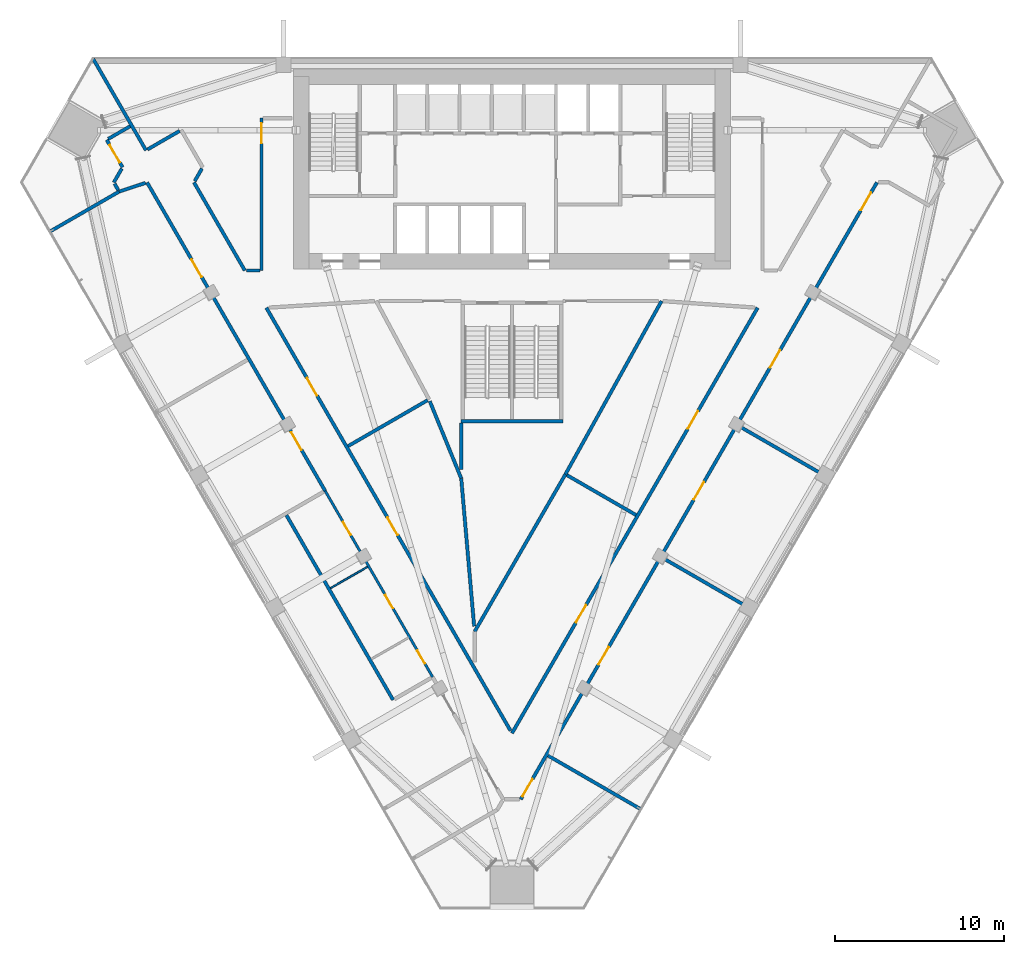
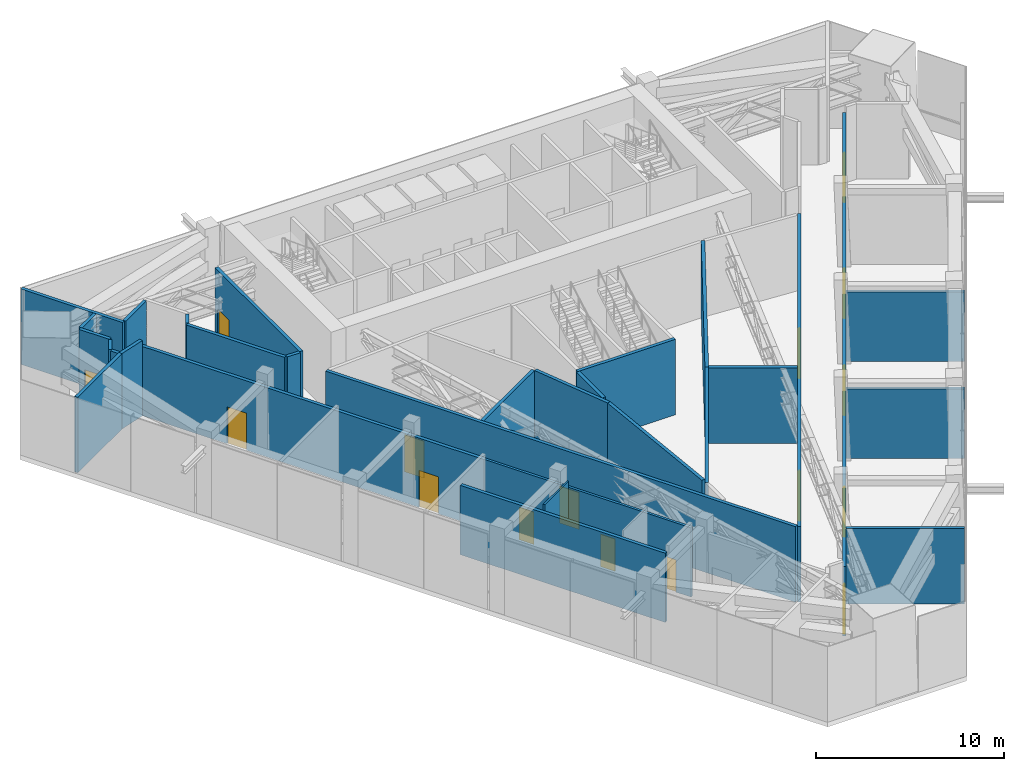
# One storey, part 9 of 15: 30 walls, 16 doors, 16 openings.
"""IFC4 building model written with IfcOpenShell, lengths in metres."""

from ifc_helpers import new_model, si_unit, direction, frame, frame_2d, origin, place, context, subcontext, project, spatial, rectangle, extrude, material, layer, layer_set, type_object, element, fill, save


model = new_model("IFC4")

# Units and contexts
model_context = context("Model", 3, precision=1e-05, world=origin(), true_north=direction((0.0, 1.0)))
body_context = subcontext(model_context, "Body", "Model", "MODEL_VIEW")
ifc_project = project(units=[si_unit("LENGTHUNIT", "METRE"), si_unit("AREAUNIT", "SQUARE_METRE"), si_unit("VOLUMEUNIT", "CUBIC_METRE"), si_unit("PLANEANGLEUNIT", "RADIAN"), si_unit("MASSUNIT", "GRAM", prefix="KILO")], contexts=[model_context])

# Site, building, storey
site_placement = place(None, origin())
site = spatial("IfcSite", under=ifc_project, at=site_placement, CompositionType="ELEMENT")
building_placement = place(site_placement, origin())
building = spatial("IfcBuilding", under=site, at=building_placement, Name="Altiplano Prism Tower", CompositionType="ELEMENT")
storey_placement = place(building_placement, frame((0.0, 0.0, 95.39990234375)))
storey = spatial("IfcBuildingStorey", under=building, at=storey_placement, Name="L24", CompositionType="ELEMENT", Elevation=95.39990234375)

# Wall
ifc_material_1 = material(Name="Plasterboard on steel stud", Category="steel")
ifc_layer_1 = layer(ifc_material_1, 0.10009765625)
ifc_layer_set_1 = layer_set([ifc_layer_1], Name="Plasterboard on steel stud")
wall_type_1 = type_object("IfcWallType", Name="Partition 100 wet", PredefinedType="PARTITIONING", material=ifc_layer_set_1)
wall_1_placement = place(storey_placement, frame((74.27880859375, 73.634521484375, 0.0), z_axis=(0.0, 0.0, 1.0), x_axis=(0.866039067339, 0.499976333282, 0.0)))
element("IfcWall", 1, at=wall_1_placement, inside=storey, type_object=wall_type_1, Name="Partition P03 L24 061", PredefinedType="PARTITIONING", context=body_context, shape_type="SweptSolid", body=[
    extrude(rectangle(XDim=2.52490234375, YDim=0.10009765625, at=frame_2d((1.262451171875, 0.0))), origin(), (0.0, 0.0, 1.0), 4.900146484375),
])

# Wall, openings, doors
ifc_layer_2 = layer(ifc_material_1, 0.14990234375)
ifc_layer_set_2 = layer_set([ifc_layer_2], Name="Plasterboard on steel stud")
wall_type_2 = type_object("IfcWallType", Name="Partition 150 corridor", PredefinedType="PARTITIONING", material=ifc_layer_set_2)
wall_2_placement = place(storey_placement, frame((73.96240234375, 79.38232421875, 0.0), z_axis=(0.0, 0.0, 1.0), x_axis=(0.500005339912, -0.866022320763, 0.0)))
wall_2 = element("IfcWall", 2, at=wall_2_placement, inside=storey, type_object=wall_type_2, Name="Partition P06 L24 038", PredefinedType="PARTITIONING", context=body_context, shape_type="SweptSolid", body=[
    extrude(rectangle(XDim=12.699951171875, YDim=0.14990234375, at=frame_2d((6.35009765625, 0.0))), origin(), (0.0, 0.0, 1.0), 4.5),
])
opening_1_placement = place(wall_2_placement, frame((2.117919921875, 0.0, 0.0)))
opening_1 = element("IfcOpeningElement", 3, at=opening_1_placement, cuts=wall_2, Name="Opening D0906", PredefinedType="OPENING", context=body_context, shape_type="SweptSolid", body=[
    extrude(rectangle(XDim=0.89990234375, YDim=2.10009765625, at=frame_2d((0.449951171875, 1.050048828125))), frame((0.0, 0.08544921875, 0.0), z_axis=(0.0, -1.0, 0.0), x_axis=(1.0, 0.0, 0.0)), (0.0, 0.0, 1.0), 0.1708984375),
])
opening_2_placement = place(wall_2_placement, frame((7.10400390625, 0.0, 0.0)))
opening_2 = element("IfcOpeningElement", 4, at=opening_2_placement, cuts=wall_2, Name="Opening D0907", PredefinedType="OPENING", context=body_context, shape_type="SweptSolid", body=[
    extrude(rectangle(XDim=0.89990234375, YDim=2.10009765625, at=frame_2d((0.449951171875, 1.050048828125))), frame((0.0, 0.08544921875, 0.0), z_axis=(0.0, -1.0, 0.0), x_axis=(1.0, 0.0, 0.0)), (0.0, 0.0, 1.0), 0.1708984375),
])
opening_3_placement = place(wall_2_placement, frame((10.885986328125, 0.0, 0.0)))
opening_3 = element("IfcOpeningElement", 5, at=opening_3_placement, cuts=wall_2, Name="Opening D0908", PredefinedType="OPENING", context=body_context, shape_type="SweptSolid", body=[
    extrude(rectangle(XDim=0.89990234375, YDim=2.10009765625, at=frame_2d((0.449951171875, 1.050048828125))), frame((0.0, 0.08544921875, 0.0), z_axis=(0.0, -1.0, 0.0), x_axis=(1.0, 0.0, 0.0)), (0.0, 0.0, 1.0), 0.1708984375),
])
ifc_material_2 = material(Name="Timber", Category="wood")
door_type_1 = type_object("IfcDoorType", Name="Toilet door 900 x 2100", OperationType="NOTDEFINED", PredefinedType="NOTDEFINED", material=ifc_material_2)
door_1_placement = place(opening_1_placement, origin())
door_1 = element("IfcDoor", 6, at=door_1_placement, inside=storey, type_object=door_type_1, Name="Door D0906", OperationType="SINGLE_SWING_LEFT", OverallHeight=2.10009765625, OverallWidth=0.89990234375, PredefinedType="NOTDEFINED", context=body_context, shape_type="SweptSolid", body=[
    extrude(rectangle(XDim=0.89990234375, YDim=2.10009765625, at=frame_2d((0.449951171875, 1.050048828125))), frame((0.0, 0.02490234375, 0.0), z_axis=(0.0, -1.0, 0.0), x_axis=(1.0, 0.0, 0.0)), (0.0, 0.0, 1.0), 0.050048828125),
])
fill(opening_1, door_1)
door_2_placement = place(opening_2_placement, origin())
door_2 = element("IfcDoor", 7, at=door_2_placement, inside=storey, type_object=door_type_1, Name="Door D0907", OperationType="SINGLE_SWING_LEFT", OverallHeight=2.10009765625, OverallWidth=0.89990234375, PredefinedType="NOTDEFINED", context=body_context, shape_type="SweptSolid", body=[
    extrude(rectangle(XDim=0.89990234375, YDim=2.10009765625, at=frame_2d((0.449951171875, 1.050048828125))), frame((0.0, 0.02490234375, 0.0), z_axis=(0.0, -1.0, 0.0), x_axis=(1.0, 0.0, 0.0)), (0.0, 0.0, 1.0), 0.050048828125),
])
fill(opening_2, door_2)
door_3_placement = place(opening_3_placement, origin())
door_3 = element("IfcDoor", 8, at=door_3_placement, inside=storey, type_object=door_type_1, Name="Door D0908", OperationType="SINGLE_SWING_RIGHT", OverallHeight=2.10009765625, OverallWidth=0.89990234375, PredefinedType="NOTDEFINED", context=body_context, shape_type="SweptSolid", body=[
    extrude(rectangle(XDim=0.89990234375, YDim=2.10009765625, at=frame_2d((0.449951171875, 1.050048828125))), frame((0.0, 0.02490234375, 0.0), z_axis=(0.0, -1.0, 0.0), x_axis=(1.0, 0.0, 0.0)), (0.0, 0.0, 1.0), 0.050048828125),
])
fill(opening_3, door_3)

# Wall
ifc_layer_3 = layer(ifc_material_1, 0.199951171875)
ifc_layer_set_3 = layer_set([ifc_layer_3], Name="Plasterboard on steel stud")
wall_type_3 = type_object("IfcWallType", Name="Partition 200 plant", PredefinedType="PARTITIONING", material=ifc_layer_set_3)
wall_3_placement = place(storey_placement, frame((62.44287109375, 100.92236328125, 0.0), z_axis=(0.0, 0.0, 1.0), x_axis=(-0.866031096941, -0.499990139034, 0.0)))
element("IfcWall", 9, at=wall_3_placement, inside=storey, type_object=wall_type_3, Name="Partition P04 L24 001", PredefinedType="PARTITIONING", context=body_context, shape_type="SweptSolid", body=[
    extrude(rectangle(XDim=1.5, YDim=0.199951171875, at=frame_2d((0.75, 0.0))), origin(), (0.0, 0.0, 1.0), 4.900146484375),
])

# Wall, opening, door
wall_4_placement = place(storey_placement, frame((61.057373046875, 100.122314453125, 0.0), z_axis=(0.0, 0.0, 1.0), x_axis=(0.499951854219, -0.86605319898, 0.0)))
wall_4 = element("IfcWall", 10, at=wall_4_placement, inside=storey, type_object=wall_type_3, Name="Partition P04 L24 002", PredefinedType="PARTITIONING", context=body_context, shape_type="SweptSolid", body=[
    extrude(rectangle(XDim=1.873291015625, YDim=0.199951171875, at=frame_2d((0.9365234375, 0.0))), origin(), (0.0, 0.0, 1.0), 4.900146484375),
])
opening_4_placement = place(wall_4_placement, frame((0.35302734375, 0.0, 0.0)))
opening_4 = element("IfcOpeningElement", 11, at=opening_4_placement, cuts=wall_4, Name="Opening D0888", PredefinedType="OPENING", context=body_context, shape_type="SweptSolid", body=[
    extrude(rectangle(XDim=1.199951171875, YDim=2.39990234375, at=frame_2d((0.60009765625, 1.199951171875))), frame((0.0, 0.1103515625, 0.0), z_axis=(0.0, -1.0, 0.0), x_axis=(1.0, 0.0, 0.0)), (0.0, 0.0, 1.0), 0.220947265625),
])
ifc_material_3 = material(Name="Painted steel door leaf", Category="steel")
door_type_2 = type_object("IfcDoorType", Name="Plant room door 1200 x 2400", OperationType="NOTDEFINED", PredefinedType="NOTDEFINED", material=ifc_material_3)
door_4_placement = place(opening_4_placement, origin())
door_4 = element("IfcDoor", 12, at=door_4_placement, inside=storey, type_object=door_type_2, Name="Door D0888", OperationType="SINGLE_SWING_RIGHT", OverallHeight=2.39990234375, OverallWidth=1.199951171875, PredefinedType="NOTDEFINED", context=body_context, shape_type="SweptSolid", body=[
    extrude(rectangle(XDim=1.199951171875, YDim=2.39990234375, at=frame_2d((0.60009765625, 1.199951171875))), frame((0.0, 0.02490234375, 0.0), z_axis=(0.0, -1.0, 0.0), x_axis=(1.0, 0.0, 0.0)), (0.0, 0.0, 1.0), 0.050048828125),
])
fill(opening_4, door_4)

# Walls
wall_5_placement = place(storey_placement, frame((61.95068359375, 98.425048828125, 0.0), z_axis=(0.0, 0.0, 1.0), x_axis=(-0.500109828528, -0.865961984968, 0.0)))
element("IfcWall", 13, at=wall_5_placement, inside=storey, type_object=wall_type_3, Name="Partition P04 L24 003", PredefinedType="PARTITIONING", context=body_context, shape_type="SweptSolid", body=[
    extrude(rectangle(XDim=0.945556640625, YDim=0.199951171875, at=frame_2d((0.47265625, 0.0))), origin(), (0.0, 0.0, 1.0), 4.900146484375),
])
wall_6_placement = place(storey_placement, frame((61.521240234375, 97.53125, 0.0), z_axis=(0.0, 0.0, 1.0), x_axis=(0.499881837328, -0.866093614288, 0.0)))
element("IfcWall", 14, at=wall_6_placement, inside=storey, type_object=wall_type_3, Name="Partition P04 L24 004", PredefinedType="PARTITIONING", context=body_context, shape_type="SweptSolid", body=[
    extrude(rectangle(XDim=0.44189453125, YDim=0.199951171875, at=frame_2d((0.220947265625, 0.0))), origin(), (0.0, 0.0, 1.0), 4.900146484375),
])
wall_7_placement = place(storey_placement, frame((61.791259765625, 97.0634765625, 0.0), z_axis=(0.0, 0.0, 1.0), x_axis=(0.949897856725, 0.312560493007, 0.0)))
element("IfcWall", 15, at=wall_7_placement, inside=storey, type_object=wall_type_3, Name="Partition P04 L24 005", PredefinedType="PARTITIONING", context=body_context, shape_type="SweptSolid", body=[
    extrude(rectangle(XDim=1.638671875, YDim=0.199951171875, at=frame_2d((0.8193359375, 0.0))), origin(), (0.0, 0.0, 1.0), 4.900146484375),
])

# Wall, openings, doors
wall_8_placement = place(storey_placement, frame((63.44091796875, 97.606201171875, 0.0), z_axis=(0.0, 0.0, 1.0), x_axis=(0.499997295205, -0.866026965393, 0.0)))
wall_8 = element("IfcWall", 16, at=wall_8_placement, inside=storey, type_object=wall_type_3, Name="Partition P04 L24 006", PredefinedType="PARTITIONING", context=body_context, shape_type="SweptSolid", body=[
    extrude(rectangle(XDim=21.04296875, YDim=0.199951171875, at=frame_2d((10.521484375, 0.0))), origin(), (0.0, 0.0, 1.0), 4.5),
])
opening_5_placement = place(wall_8_placement, frame((5.26708984375, 0.0, 0.0)))
opening_5 = element("IfcOpeningElement", 17, at=opening_5_placement, cuts=wall_8, Name="Opening D0889", PredefinedType="OPENING", context=body_context, shape_type="SweptSolid", body=[
    extrude(rectangle(XDim=1.199951171875, YDim=2.39990234375, at=frame_2d((0.60009765625, 1.199951171875))), frame((0.0, 0.1103515625, 0.0), z_axis=(0.0, -1.0, 0.0), x_axis=(1.0, 0.0, 0.0)), (0.0, 0.0, 1.0), 0.220947265625),
])
opening_6_placement = place(wall_8_placement, frame((17.04296875, 0.0, 0.0)))
opening_6 = element("IfcOpeningElement", 18, at=opening_6_placement, cuts=wall_8, Name="Opening D0890", PredefinedType="OPENING", context=body_context, shape_type="SweptSolid", body=[
    extrude(rectangle(XDim=1.199951171875, YDim=2.39990234375, at=frame_2d((0.60009765625, 1.199951171875))), frame((0.0, 0.1103515625, 0.0), z_axis=(0.0, -1.0, 0.0), x_axis=(1.0, 0.0, 0.0)), (0.0, 0.0, 1.0), 0.220947265625),
])
door_5_placement = place(opening_5_placement, origin())
door_5 = element("IfcDoor", 19, at=door_5_placement, inside=storey, type_object=door_type_2, Name="Door D0889", OperationType="SINGLE_SWING_RIGHT", OverallHeight=2.39990234375, OverallWidth=1.199951171875, PredefinedType="NOTDEFINED", context=body_context, shape_type="SweptSolid", body=[
    extrude(rectangle(XDim=1.199951171875, YDim=2.39990234375, at=frame_2d((0.60009765625, 1.199951171875))), frame((0.0, 0.02490234375, 0.0), z_axis=(0.0, -1.0, 0.0), x_axis=(1.0, 0.0, 0.0)), (0.0, 0.0, 1.0), 0.050048828125),
])
fill(opening_5, door_5)
door_6_placement = place(opening_6_placement, origin())
door_6 = element("IfcDoor", 20, at=door_6_placement, inside=storey, type_object=door_type_2, Name="Door D0890", OperationType="SINGLE_SWING_LEFT", OverallHeight=2.39990234375, OverallWidth=1.199951171875, PredefinedType="NOTDEFINED", context=body_context, shape_type="SweptSolid", body=[
    extrude(rectangle(XDim=1.199951171875, YDim=2.39990234375, at=frame_2d((0.60009765625, 1.199951171875))), frame((0.0, 0.02490234375, 0.0), z_axis=(0.0, -1.0, 0.0), x_axis=(1.0, 0.0, 0.0)), (0.0, 0.0, 1.0), 0.050048828125),
])
fill(opening_6, door_6)

wall_9_placement = place(storey_placement, frame((85.51611328125, 61.158447265625, 0.0), z_axis=(0.0, 0.0, 1.0), x_axis=(0.499997295205, 0.866026965393, 0.0)))
wall_9 = element("IfcWall", 21, at=wall_9_placement, inside=storey, type_object=wall_type_3, Name="Partition P04 L24 009", PredefinedType="PARTITIONING", context=body_context, shape_type="SweptSolid", body=[
    extrude(rectangle(XDim=42.086181640625, YDim=0.199951171875, at=frame_2d((21.04296875, 0.0))), origin(), (0.0, 0.0, 1.0), 4.5),
])
opening_7_placement = place(wall_9_placement, frame((0.199951171875, 0.0, 0.0)))
opening_7 = element("IfcOpeningElement", 22, at=opening_7_placement, cuts=wall_9, Name="Opening D0893", PredefinedType="OPENING", context=body_context, shape_type="SweptSolid", body=[
    extrude(rectangle(XDim=1.199951171875, YDim=2.39990234375, at=frame_2d((0.60009765625, 1.199951171875))), frame((0.0, 0.1103515625, 0.0), z_axis=(0.0, -1.0, 0.0), x_axis=(1.0, 0.0, 0.0)), (0.0, 0.0, 1.0), 0.220947265625),
])
opening_8_placement = place(wall_9_placement, frame((9.193115234375, 0.0, 0.0)))
opening_8 = element("IfcOpeningElement", 23, at=opening_8_placement, cuts=wall_9, Name="Opening D0894", PredefinedType="OPENING", context=body_context, shape_type="SweptSolid", body=[
    extrude(rectangle(XDim=1.199951171875, YDim=2.39990234375, at=frame_2d((0.60009765625, 1.199951171875))), frame((0.0, 0.1103515625, 0.0), z_axis=(0.0, -1.0, 0.0), x_axis=(1.0, 0.0, 0.0)), (0.0, 0.0, 1.0), 0.220947265625),
])
opening_9_placement = place(wall_9_placement, frame((20.443115234375, 0.0, 0.0)))
opening_9 = element("IfcOpeningElement", 24, at=opening_9_placement, cuts=wall_9, Name="Opening D0895", PredefinedType="OPENING", context=body_context, shape_type="SweptSolid", body=[
    extrude(rectangle(XDim=1.199951171875, YDim=2.39990234375, at=frame_2d((0.60009765625, 1.199951171875))), frame((0.0, 0.1103515625, 0.0), z_axis=(0.0, -1.0, 0.0), x_axis=(1.0, 0.0, 0.0)), (0.0, 0.0, 1.0), 0.220947265625),
])
opening_10_placement = place(wall_9_placement, frame((29.443115234375, 0.0, 0.0)))
opening_10 = element("IfcOpeningElement", 25, at=opening_10_placement, cuts=wall_9, Name="Opening D0896", PredefinedType="OPENING", context=body_context, shape_type="SweptSolid", body=[
    extrude(rectangle(XDim=1.199951171875, YDim=2.39990234375, at=frame_2d((0.60009765625, 1.199951171875))), frame((0.0, 0.1103515625, 0.0), z_axis=(0.0, -1.0, 0.0), x_axis=(1.0, 0.0, 0.0)), (0.0, 0.0, 1.0), 0.220947265625),
])
opening_11_placement = place(wall_9_placement, frame((40.18408203125, 0.0, 0.0)))
opening_11 = element("IfcOpeningElement", 26, at=opening_11_placement, cuts=wall_9, Name="Opening D0897", PredefinedType="OPENING", context=body_context, shape_type="SweptSolid", body=[
    extrude(rectangle(XDim=1.199951171875, YDim=2.39990234375, at=frame_2d((0.60009765625, 1.199951171875))), frame((0.0, 0.1103515625, 0.0), z_axis=(0.0, -1.0, 0.0), x_axis=(1.0, 0.0, 0.0)), (0.0, 0.0, 1.0), 0.220947265625),
])
door_7_placement = place(opening_7_placement, origin())
door_7 = element("IfcDoor", 27, at=door_7_placement, inside=storey, type_object=door_type_2, Name="Door D0893", OperationType="SINGLE_SWING_LEFT", OverallHeight=2.39990234375, OverallWidth=1.199951171875, PredefinedType="NOTDEFINED", context=body_context, shape_type="SweptSolid", body=[
    extrude(rectangle(XDim=1.199951171875, YDim=2.39990234375, at=frame_2d((0.60009765625, 1.199951171875))), frame((0.0, 0.02490234375, 0.0), z_axis=(0.0, -1.0, 0.0), x_axis=(1.0, 0.0, 0.0)), (0.0, 0.0, 1.0), 0.050048828125),
])
fill(opening_7, door_7)
door_8_placement = place(opening_8_placement, origin())
door_8 = element("IfcDoor", 28, at=door_8_placement, inside=storey, type_object=door_type_2, Name="Door D0894", OperationType="SINGLE_SWING_RIGHT", OverallHeight=2.39990234375, OverallWidth=1.199951171875, PredefinedType="NOTDEFINED", context=body_context, shape_type="SweptSolid", body=[
    extrude(rectangle(XDim=1.199951171875, YDim=2.39990234375, at=frame_2d((0.60009765625, 1.199951171875))), frame((0.0, 0.02490234375, 0.0), z_axis=(0.0, -1.0, 0.0), x_axis=(1.0, 0.0, 0.0)), (0.0, 0.0, 1.0), 0.050048828125),
])
fill(opening_8, door_8)
door_9_placement = place(opening_9_placement, origin())
door_9 = element("IfcDoor", 29, at=door_9_placement, inside=storey, type_object=door_type_2, Name="Door D0895", OperationType="SINGLE_SWING_RIGHT", OverallHeight=2.39990234375, OverallWidth=1.199951171875, PredefinedType="NOTDEFINED", context=body_context, shape_type="SweptSolid", body=[
    extrude(rectangle(XDim=1.199951171875, YDim=2.39990234375, at=frame_2d((0.60009765625, 1.199951171875))), frame((0.0, 0.02490234375, 0.0), z_axis=(0.0, -1.0, 0.0), x_axis=(1.0, 0.0, 0.0)), (0.0, 0.0, 1.0), 0.050048828125),
])
fill(opening_9, door_9)
door_10_placement = place(opening_10_placement, origin())
door_10 = element("IfcDoor", 30, at=door_10_placement, inside=storey, type_object=door_type_2, Name="Door D0896", OperationType="SINGLE_SWING_RIGHT", OverallHeight=2.39990234375, OverallWidth=1.199951171875, PredefinedType="NOTDEFINED", context=body_context, shape_type="SweptSolid", body=[
    extrude(rectangle(XDim=1.199951171875, YDim=2.39990234375, at=frame_2d((0.60009765625, 1.199951171875))), frame((0.0, 0.02490234375, 0.0), z_axis=(0.0, -1.0, 0.0), x_axis=(1.0, 0.0, 0.0)), (0.0, 0.0, 1.0), 0.050048828125),
])
fill(opening_10, door_10)
door_11_placement = place(opening_11_placement, origin())
door_11 = element("IfcDoor", 31, at=door_11_placement, inside=storey, type_object=door_type_2, Name="Door D0897", OperationType="SINGLE_SWING_RIGHT", OverallHeight=2.39990234375, OverallWidth=1.199951171875, PredefinedType="NOTDEFINED", context=body_context, shape_type="SweptSolid", body=[
    extrude(rectangle(XDim=1.199951171875, YDim=2.39990234375, at=frame_2d((0.60009765625, 1.199951171875))), frame((0.0, 0.02490234375, 0.0), z_axis=(0.0, -1.0, 0.0), x_axis=(1.0, 0.0, 0.0)), (0.0, 0.0, 1.0), 0.050048828125),
])
fill(opening_11, door_11)

wall_10_placement = place(storey_placement, frame((99.511962890625, 90.199951171875, 0.0), z_axis=(0.0, 0.0, 1.0), x_axis=(-0.500003030662, -0.866023654024, 0.0)))
wall_10 = element("IfcWall", 32, at=wall_10_placement, inside=storey, type_object=wall_type_3, Name="Partition P04 L24 033", PredefinedType="PARTITIONING", context=body_context, shape_type="SweptSolid", body=[
    extrude(rectangle(XDim=29.023681640625, YDim=0.199951171875, at=frame_2d((14.51171875, 0.0))), origin(), (0.0, 0.0, 1.0), 4.900146484375),
])
opening_12_placement = place(wall_10_placement, frame((20.27197265625, 0.0, 0.0)))
opening_12 = element("IfcOpeningElement", 33, at=opening_12_placement, cuts=wall_10, Name="Opening D0901", PredefinedType="OPENING", context=body_context, shape_type="SweptSolid", body=[
    extrude(rectangle(XDim=1.199951171875, YDim=2.39990234375, at=frame_2d((0.60009765625, 1.199951171875))), frame((0.0, 0.1103515625, 0.0), z_axis=(0.0, -1.0, 0.0), x_axis=(1.0, 0.0, 0.0)), (0.0, 0.0, 1.0), 0.220947265625),
])
opening_13_placement = place(wall_10_placement, frame((7.053955078125, 0.0, 0.0)))
opening_13 = element("IfcOpeningElement", 34, at=opening_13_placement, cuts=wall_10, Name="Opening D0902", PredefinedType="OPENING", context=body_context, shape_type="SweptSolid", body=[
    extrude(rectangle(XDim=1.199951171875, YDim=2.39990234375, at=frame_2d((0.60009765625, 1.199951171875))), frame((0.0, 0.1103515625, 0.0), z_axis=(0.0, -1.0, 0.0), x_axis=(1.0, 0.0, 0.0)), (0.0, 0.0, 1.0), 0.220947265625),
])
door_12_placement = place(opening_12_placement, origin())
door_12 = element("IfcDoor", 35, at=door_12_placement, inside=storey, type_object=door_type_2, Name="Door D0901", OperationType="SINGLE_SWING_RIGHT", OverallHeight=2.39990234375, OverallWidth=1.199951171875, PredefinedType="NOTDEFINED", context=body_context, shape_type="SweptSolid", body=[
    extrude(rectangle(XDim=1.199951171875, YDim=2.39990234375, at=frame_2d((0.60009765625, 1.199951171875))), frame((0.0, 0.02490234375, 0.0), z_axis=(0.0, -1.0, 0.0), x_axis=(1.0, 0.0, 0.0)), (0.0, 0.0, 1.0), 0.050048828125),
])
fill(opening_12, door_12)
door_13_placement = place(opening_13_placement, origin())
door_13 = element("IfcDoor", 36, at=door_13_placement, inside=storey, type_object=door_type_2, Name="Door D0902", OperationType="SINGLE_SWING_LEFT", OverallHeight=2.39990234375, OverallWidth=1.199951171875, PredefinedType="NOTDEFINED", context=body_context, shape_type="SweptSolid", body=[
    extrude(rectangle(XDim=1.199951171875, YDim=2.39990234375, at=frame_2d((0.60009765625, 1.199951171875))), frame((0.0, 0.02490234375, 0.0), z_axis=(0.0, -1.0, 0.0), x_axis=(1.0, 0.0, 0.0)), (0.0, 0.0, 1.0), 0.050048828125),
])
fill(opening_13, door_13)

wall_11_placement = place(storey_placement, frame((84.913330078125, 65.21484375, 0.0), z_axis=(0.0, 0.0, 1.0), x_axis=(-0.500003495781, 0.866023385485, 0.0)))
wall_11 = element("IfcWall", 37, at=wall_11_placement, inside=storey, type_object=wall_type_3, Name="Partition P04 L24 035", PredefinedType="PARTITIONING", context=body_context, shape_type="SweptSolid", body=[
    extrude(rectangle(XDim=28.850341796875, YDim=0.199951171875, at=frame_2d((14.42529296875, 0.0))), origin(), (0.0, 0.0, 1.0), 4.900146484375),
])
opening_14_placement = place(wall_11_placement, frame((13.3369140625, 0.0, 0.0)))
opening_14 = element("IfcOpeningElement", 38, at=opening_14_placement, cuts=wall_11, Name="Opening D0903", PredefinedType="OPENING", context=body_context, shape_type="SweptSolid", body=[
    extrude(rectangle(XDim=1.199951171875, YDim=2.39990234375, at=frame_2d((0.60009765625, 1.199951171875))), frame((0.0, 0.1103515625, 0.0), z_axis=(0.0, -1.0, 0.0), x_axis=(1.0, 0.0, 0.0)), (0.0, 0.0, 1.0), 0.220947265625),
])
opening_15_placement = place(wall_11_placement, frame((22.85009765625, 0.0, 0.0)))
opening_15 = element("IfcOpeningElement", 39, at=opening_15_placement, cuts=wall_11, Name="Opening D0904", PredefinedType="OPENING", context=body_context, shape_type="SweptSolid", body=[
    extrude(rectangle(XDim=1.199951171875, YDim=2.39990234375, at=frame_2d((0.60009765625, 1.199951171875))), frame((0.0, 0.1103515625, 0.0), z_axis=(0.0, -1.0, 0.0), x_axis=(1.0, 0.0, 0.0)), (0.0, 0.0, 1.0), 0.220947265625),
])
door_14_placement = place(opening_14_placement, origin())
door_14 = element("IfcDoor", 40, at=door_14_placement, inside=storey, type_object=door_type_2, Name="Door D0903", OperationType="SINGLE_SWING_LEFT", OverallHeight=2.39990234375, OverallWidth=1.199951171875, PredefinedType="NOTDEFINED", context=body_context, shape_type="SweptSolid", body=[
    extrude(rectangle(XDim=1.199951171875, YDim=2.39990234375, at=frame_2d((0.60009765625, 1.199951171875))), frame((0.0, 0.02490234375, 0.0), z_axis=(0.0, -1.0, 0.0), x_axis=(1.0, 0.0, 0.0)), (0.0, 0.0, 1.0), 0.050048828125),
])
fill(opening_14, door_14)
door_15_placement = place(opening_15_placement, origin())
door_15 = element("IfcDoor", 41, at=door_15_placement, inside=storey, type_object=door_type_2, Name="Door D0904", OperationType="SINGLE_SWING_LEFT", OverallHeight=2.39990234375, OverallWidth=1.199951171875, PredefinedType="NOTDEFINED", context=body_context, shape_type="SweptSolid", body=[
    extrude(rectangle(XDim=1.199951171875, YDim=2.39990234375, at=frame_2d((0.60009765625, 1.199951171875))), frame((0.0, 0.02490234375, 0.0), z_axis=(0.0, -1.0, 0.0), x_axis=(1.0, 0.0, 0.0)), (0.0, 0.0, 1.0), 0.050048828125),
])
fill(opening_15, door_15)

# Walls
wall_12_placement = place(storey_placement, frame((57.720947265625, 94.713623046875, 0.0), z_axis=(0.0, 0.0, 1.0), x_axis=(0.866038532462, 0.499977259774, 0.0)))
element("IfcWall", 42, at=wall_12_placement, inside=storey, type_object=wall_type_3, Name="Partition P04 L24 039", PredefinedType="PARTITIONING", context=body_context, shape_type="SweptSolid", body=[
    extrude(rectangle(XDim=4.699951171875, YDim=0.199951171875, at=frame_2d((2.35009765625, 0.0))), origin(), (0.0, 0.0, 1.0), 4.900146484375),
])
wall_13_placement = place(storey_placement, frame((77.97412109375, 67.033935546875, 0.0), z_axis=(0.0, 0.0, 1.0), x_axis=(-0.500004791531, 0.866022637375, 0.0)))
element("IfcWall", 43, at=wall_13_placement, inside=storey, type_object=wall_type_3, Name="Partition P04 L24 044", PredefinedType="PARTITIONING", context=body_context, shape_type="SweptSolid", body=[
    extrude(rectangle(XDim=12.60009765625, YDim=0.199951171875, at=frame_2d((6.300048828125, 0.0))), origin(), (0.0, 0.0, 1.0), 4.5),
])
wall_14_placement = place(storey_placement, frame((92.580078125, 60.593994140625, 0.0), z_axis=(0.0, 0.0, 1.0), x_axis=(-0.866026183513, 0.499998649469, 0.0)))
element("IfcWall", 44, at=wall_14_placement, inside=storey, type_object=wall_type_3, Name="Partition P04 L24 048", PredefinedType="PARTITIONING", context=body_context, shape_type="SweptSolid", body=[
    extrude(rectangle(XDim=6.2998046875, YDim=0.199951171875, at=frame_2d((3.14990234375, 0.0))), origin(), (0.0, 0.0, 1.0), 4.900146484375),
])
wall_15_placement = place(storey_placement, frame((99.330078125, 72.28515625, 0.0), z_axis=(0.0, 0.0, 1.0), x_axis=(-0.866009402589, 0.500027713859, 0.0)))
element("IfcWall", 45, at=wall_15_placement, inside=storey, type_object=wall_type_3, Name="Partition P04 L24 049", PredefinedType="PARTITIONING", context=body_context, shape_type="SweptSolid", body=[
    extrude(rectangle(XDim=6.300048828125, YDim=0.199951171875, at=frame_2d((3.14990234375, 0.0))), origin(), (0.0, 0.0, 1.0), 4.5),
])
wall_16_placement = place(storey_placement, frame((103.830078125, 80.07958984375, 0.0), z_axis=(0.0, 0.0, 1.0), x_axis=(-0.866026183513, 0.499998649469, 0.0)))
element("IfcWall", 46, at=wall_16_placement, inside=storey, type_object=wall_type_3, Name="Partition P04 L24 050", PredefinedType="PARTITIONING", context=body_context, shape_type="SweptSolid", body=[
    extrude(rectangle(XDim=6.2998046875, YDim=0.199951171875, at=frame_2d((3.14990234375, 0.0))), origin(), (0.0, 0.0, 1.0), 4.5),
])
wall_17_placement = place(storey_placement, frame((82.793212890625, 71.072998046875, 0.0), z_axis=(0.0, 0.0, 1.0), x_axis=(0.500001539715, 0.866024514828, 0.0)))
element("IfcWall", 47, at=wall_17_placement, inside=storey, type_object=wall_type_3, Name="Partition P04 L24 052", PredefinedType="PARTITIONING", context=body_context, shape_type="SweptSolid", body=[
    extrude(rectangle(XDim=10.7275390625, YDim=0.199951171875, at=frame_2d((5.36376953125, 0.0))), origin(), (0.0, 0.0, 1.0), 4.900146484375),
])
wall_18_placement = place(storey_placement, frame((88.156982421875, 80.36328125, 0.0), z_axis=(0.0, 0.0, 1.0), x_axis=(0.485129297726, 0.874442430631, 0.0)))
element("IfcWall", 48, at=wall_18_placement, inside=storey, type_object=wall_type_3, Name="Partition P04 L24 053", PredefinedType="PARTITIONING", context=body_context, shape_type="SweptSolid", body=[
    extrude(rectangle(XDim=11.70556640625, YDim=0.199951171875, at=frame_2d((5.852783203125, 0.0))), origin(), (0.0, 0.0, 1.0), 4.900146484375),
])
wall_19_placement = place(storey_placement, frame((82.0, 80.12158203125, 0.0), z_axis=(0.0, 0.0, 1.0), x_axis=(0.087146227239, -0.996195530545, 0.0)))
element("IfcWall", 49, at=wall_19_placement, inside=storey, type_object=wall_type_3, Name="Partition P04 L24 054", PredefinedType="PARTITIONING", context=body_context, shape_type="SweptSolid", body=[
    extrude(rectangle(XDim=8.768798828125, YDim=0.199951171875, at=frame_2d((4.38427734375, 0.0))), origin(), (0.0, 0.0, 1.0), 4.900146484375),
])
wall_20_placement = place(storey_placement, frame((82.0, 83.39990234375, 0.0), z_axis=(0.0, 0.0, 1.0), x_axis=(0.0, -1.0, 0.0)))
element("IfcWall", 50, at=wall_20_placement, inside=storey, type_object=wall_type_3, Name="Partition P04 L24 055", PredefinedType="PARTITIONING", context=body_context, shape_type="SweptSolid", body=[
    extrude(rectangle(XDim=2.767822265625, YDim=0.199951171875, at=frame_2d((1.3837890625, 0.0))), origin(), (0.0, 0.0, 1.0), 4.900146484375),
])
wall_21_placement = place(storey_placement, frame((92.3271484375, 77.95556640625, 0.0), z_axis=(0.0, 0.0, 1.0), x_axis=(-0.866020036431, 0.500009296414, 0.0)))
element("IfcWall", 51, at=wall_21_placement, inside=storey, type_object=wall_type_3, Name="Partition P04 L24 056", PredefinedType="PARTITIONING", context=body_context, shape_type="SweptSolid", body=[
    extrude(rectangle(XDim=4.71533203125, YDim=0.199951171875, at=frame_2d((2.357666015625, 0.0))), origin(), (0.0, 0.0, 1.0), 4.900146484375),
])
wall_22_placement = place(storey_placement, frame((80.01220703125, 84.738525390625, 0.0), z_axis=(0.0, 0.0, 1.0), x_axis=(-0.866024235346, -0.500002023789, 0.0)))
element("IfcWall", 52, at=wall_22_placement, inside=storey, type_object=wall_type_3, Name="Partition P04 L24 058", PredefinedType="PARTITIONING", context=body_context, shape_type="SweptSolid", body=[
    extrude(rectangle(XDim=5.41748046875, YDim=0.199951171875, at=frame_2d((2.708740234375, 0.0))), origin(), (0.0, 0.0, 1.0), 4.900146484375),
])
wall_23_placement = place(storey_placement, frame((82.0, 80.12158203125, 0.0), z_axis=(0.0, 0.0, 1.0), x_axis=(-0.377263817801, 0.926105831845, 0.0)))
element("IfcWall", 53, at=wall_23_placement, inside=storey, type_object=wall_type_3, Name="Partition P04 L24 059", PredefinedType="PARTITIONING", context=body_context, shape_type="SweptSolid", body=[
    extrude(rectangle(XDim=4.9248046875, YDim=0.199951171875, at=frame_2d((2.46240234375, 0.0))), origin(), (0.0, 0.0, 1.0), 4.900146484375),
])

# Wall, opening, door
ifc_layer_4 = layer(ifc_material_1, 0.199951171875)
ifc_layer_set_4 = layer_set([ifc_layer_4], Name="Plasterboard on steel stud")
wall_type_4 = type_object("IfcWallType", Name="Partition 200 refuge", PredefinedType="PARTITIONING", material=ifc_layer_set_4)
wall_24_placement = place(storey_placement, frame((70.199951171875, 101.39990234375, 0.0), z_axis=(0.0, 0.0, 1.0), x_axis=(0.0, -1.0, 0.0)))
wall_24 = element("IfcWall", 54, at=wall_24_placement, inside=storey, type_object=wall_type_4, Name="Partition P05 L24 026", PredefinedType="PARTITIONING", context=body_context, shape_type="SweptSolid", body=[
    extrude(rectangle(XDim=9.0, YDim=0.199951171875, at=frame_2d((4.5, 0.0))), origin(), (0.0, 0.0, 1.0), 4.900146484375),
])
opening_16_placement = place(wall_24_placement, frame((0.2880859375, 0.0, 0.0)))
opening_16 = element("IfcOpeningElement", 55, at=opening_16_placement, cuts=wall_24, Name="Opening D0899", PredefinedType="OPENING", context=body_context, shape_type="SweptSolid", body=[
    extrude(rectangle(XDim=1.199951171875, YDim=2.39990234375, at=frame_2d((0.60009765625, 1.199951171875))), frame((0.0, 0.1103515625, 0.0), z_axis=(0.0, -1.0, 0.0), x_axis=(1.0, 0.0, 0.0)), (0.0, 0.0, 1.0), 0.220947265625),
])
door_type_3 = type_object("IfcDoorType", Name="Refuge area door 1200 x 2400", OperationType="NOTDEFINED", PredefinedType="NOTDEFINED", material=ifc_material_3)
door_16_placement = place(opening_16_placement, origin())
door_16 = element("IfcDoor", 56, at=door_16_placement, inside=storey, type_object=door_type_3, Name="Door D0899", OperationType="SINGLE_SWING_LEFT", OverallHeight=2.39990234375, OverallWidth=1.199951171875, PredefinedType="NOTDEFINED", context=body_context, shape_type="SweptSolid", body=[
    extrude(rectangle(XDim=1.199951171875, YDim=2.39990234375, at=frame_2d((0.60009765625, 1.199951171875))), frame((0.0, 0.02490234375, 0.0), z_axis=(0.0, -1.0, 0.0), x_axis=(1.0, 0.0, 0.0)), (0.0, 0.0, 1.0), 0.050048828125),
])
fill(opening_16, door_16)

# Walls
wall_25_placement = place(storey_placement, frame((70.10009765625, 92.39990234375, 0.0), z_axis=(0.0, 0.0, 1.0), x_axis=(-1.0, 0.0, 0.0)))
element("IfcWall", 57, at=wall_25_placement, inside=storey, type_object=wall_type_4, Name="Partition P05 L24 027", PredefinedType="PARTITIONING", context=body_context, shape_type="SweptSolid", body=[
    extrude(rectangle(XDim=0.79541015625, YDim=0.199951171875, at=frame_2d((0.397705078125, 0.0))), origin(), (0.0, 0.0, 1.0), 4.900146484375),
])
wall_26_placement = place(storey_placement, frame((69.218017578125, 92.39990234375, 0.0), z_axis=(0.0, 0.0, 1.0), x_axis=(-0.50000016781, 0.866025306899, 0.0)))
element("IfcWall", 58, at=wall_26_placement, inside=storey, type_object=wall_type_4, Name="Partition P05 L24 028", PredefinedType="PARTITIONING", context=body_context, shape_type="SweptSolid", body=[
    extrude(rectangle(XDim=6.01171875, YDim=0.199951171875, at=frame_2d((3.005859375, 0.0))), origin(), (0.0, 0.0, 1.0), 4.900146484375),
])
wall_27_placement = place(storey_placement, frame((66.25537109375, 97.68115234375, 0.0), z_axis=(0.0, 0.0, 1.0), x_axis=(0.499960291808, 0.866048328106, 0.0)))
element("IfcWall", 59, at=wall_27_placement, inside=storey, type_object=wall_type_4, Name="Partition P05 L24 029", PredefinedType="PARTITIONING", context=body_context, shape_type="SweptSolid", body=[
    extrude(rectangle(XDim=0.85888671875, YDim=0.199951171875, at=frame_2d((0.429443359375, 0.0))), origin(), (0.0, 0.0, 1.0), 4.900146484375),
])
wall_28_placement = place(storey_placement, frame((65.371337890625, 100.64990234375, 0.0), z_axis=(0.0, 0.0, 1.0), x_axis=(-0.86605622881, -0.499946605688, 0.0)))
element("IfcWall", 60, at=wall_28_placement, inside=storey, type_object=wall_type_4, Name="Partition P05 L24 031", PredefinedType="PARTITIONING", context=body_context, shape_type="SweptSolid", body=[
    extrude(rectangle(XDim=2.199951171875, YDim=0.199951171875, at=frame_2d((1.10009765625, 0.0))), origin(), (0.0, 0.0, 1.0), 4.900146484375),
])
wall_29_placement = place(storey_placement, frame((63.379638671875, 99.5, 0.0), z_axis=(0.0, 0.0, 1.0), x_axis=(-0.500004896655, 0.866022576681, 0.0)))
element("IfcWall", 61, at=wall_29_placement, inside=storey, type_object=wall_type_4, Name="Partition P05 L24 040", PredefinedType="PARTITIONING", context=body_context, shape_type="SweptSolid", body=[
    extrude(rectangle(XDim=6.2353515625, YDim=0.199951171875, at=frame_2d((3.11767578125, 0.0))), origin(), (0.0, 0.0, 1.0), 4.900146484375),
])
ifc_material_4 = material(Name="Concrete C60/75", Category="concrete")
ifc_layer_5 = layer(ifc_material_4, 0.199951171875)
ifc_layer_set_5 = layer_set([ifc_layer_5], Name="Concrete C60/75")
wall_type_5 = type_object("IfcWallType", Name="Stair wall 200", PredefinedType="SOLIDWALL", material=ifc_layer_set_5)
wall_30_placement = place(storey_placement, frame((82.0, 83.5, 0.0), z_axis=(0.0, 0.0, 1.0), x_axis=(1.0, 0.0, 0.0)))
element("IfcWall", 62, at=wall_30_placement, inside=storey, type_object=wall_type_5, Name="Stair 3 wall south L24", PredefinedType="SOLIDWALL", context=body_context, shape_type="SweptSolid", body=[
    extrude(rectangle(XDim=6.0, YDim=0.199951171875, at=frame_2d((3.0, 0.0))), origin(), (0.0, 0.0, 1.0), 4.900146484375),
])

save(model, "model.ifc")
